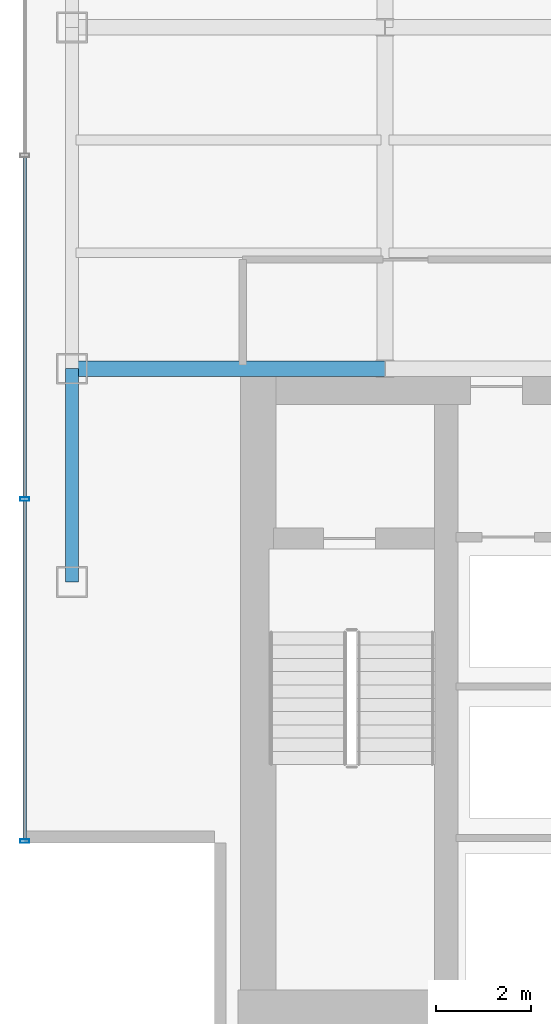
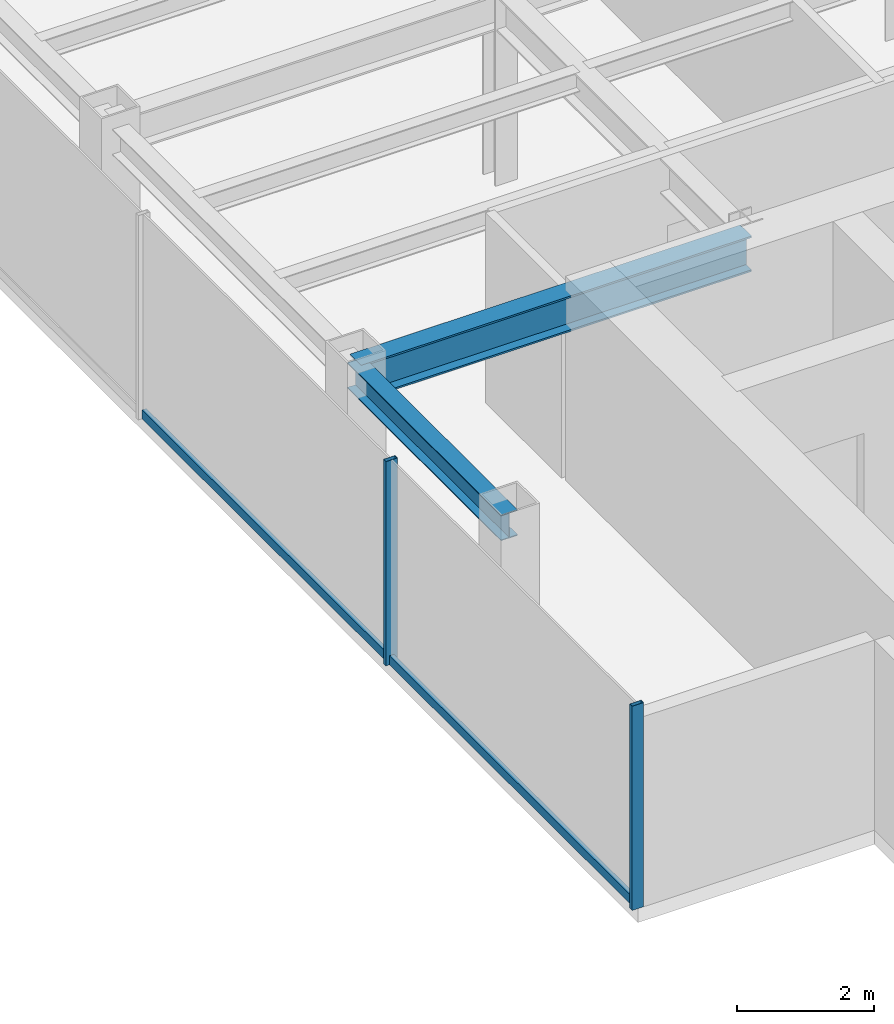
# One storey, part 3 of 25: 4 members, 2 beams, 1 element without a shape of its own.
"""IFC4 building model written with IfcOpenShell, lengths in metres."""

from ifc_helpers import new_model, si_unit, derived_unit, direction, frame, origin, origin_2d, place, context, subcontext, project, spatial, hollow_rectangle, i_section, extrude, source, transform, mapped, material, material_profile, profile_set, type_object, element, aggregate, save


model = new_model("IFC4")

# Units and contexts
model_context = context("Model", 3, precision=1e-05, world=origin(), true_north=direction((0.0, 1.0)))
body_context = subcontext(model_context, "Body", "Model", "MODEL_VIEW")
ifc_project = project(units=[si_unit("LENGTHUNIT", "METRE"), si_unit("AREAUNIT", "SQUARE_METRE"), si_unit("VOLUMEUNIT", "CUBIC_METRE"), si_unit("PLANEANGLEUNIT", "RADIAN"), si_unit("MASSUNIT", "GRAM", prefix="KILO"), derived_unit("THERMALTRANSMITTANCEUNIT", [(si_unit("POWERUNIT", "WATT"), 1), (si_unit("LENGTHUNIT", "METRE"), -2), (si_unit("THERMODYNAMICTEMPERATUREUNIT", "KELVIN"), -1)])], contexts=[model_context])

# Site, building, storey
site_placement = place(None, origin())
site = spatial("IfcSite", under=ifc_project, at=site_placement, CompositionType="ELEMENT")
building_placement = place(site_placement, origin())
building = spatial("IfcBuilding", under=site, at=building_placement, Name="Skarnbrae Concourse Arena and Tower", CompositionType="ELEMENT")
storey_placement = place(building_placement, frame((0.0, 0.0, 173.449951171875)))
storey = spatial("IfcBuildingStorey", under=building, at=storey_placement, Name="L44", CompositionType="ELEMENT", Elevation=173.449951171875)

# Beams
ifc_material_1 = material(Name="Steel CSA G40.21 350W", Category="steel")
ifc_material_profile_1 = material_profile(ifc_material_1, i_section(OverallWidth=0.3291015625, OverallDepth=0.635009765625, WebThickness=0.017822265625, FlangeThickness=0.031005859375, at=origin_2d()), Name="W610X241")
ifc_profile_set_1 = profile_set([ifc_material_profile_1], Name="Steel CSA G40.21 350W")
beam_type_1 = type_object("IfcBeamType", Name="BM-GIRD-W610X241", PredefinedType="BEAM", material=ifc_profile_set_1)
shared_shape_1 = source(origin(), body_context, "Body", "SweptSolid", [
    extrude(i_section(OverallWidth=0.3291015625, OverallDepth=0.635009765625, WebThickness=0.017822265625, FlangeThickness=0.031005859375, at=origin_2d()), origin(), (0.0, 0.0, 1.0), 6.60009765625),
])
beam_1_placement = place(storey_placement, frame((1.0, 14.0, 3.08251953125), z_axis=(1.0, 0.0, 0.0), x_axis=(0.0, 1.0, 0.0)))
element("IfcBeam", 1, at=beam_1_placement, inside=storey, type_object=beam_type_1, Name="L44 Primary E-W girder Y14.0-1", PredefinedType="BEAM", context=body_context, shape_type="MappedRepresentation", body=[
    mapped(shared_shape_1, transform((0.0, 0.0, 0.0))),
])
ifc_material_profile_2 = material_profile(ifc_material_1, i_section(OverallWidth=0.280029296875, OverallDepth=0.462890625, WebThickness=0.0107421875, FlangeThickness=0.017333984375, at=origin_2d()), Name="W460X113")
ifc_profile_set_2 = profile_set([ifc_material_profile_2], Name="Steel CSA G40.21 350W")
beam_type_2 = type_object("IfcBeamType", Name="BM-SPAN-W460X113", PredefinedType="SPANDREL", material=ifc_profile_set_2)
shared_shape_2 = source(origin(), body_context, "Body", "SweptSolid", [
    extrude(i_section(OverallWidth=0.280029296875, OverallDepth=0.462890625, WebThickness=0.0107421875, FlangeThickness=0.017333984375, at=origin_2d()), origin(), (0.0, 0.0, 1.0), 4.5),
])
beam_2_placement = place(storey_placement, frame((1.0, 9.5, 3.16845703125), z_axis=(0.0, 1.0, 0.0), x_axis=(-1.0, 0.0, 0.0)))
element("IfcBeam", 2, at=beam_2_placement, inside=storey, type_object=beam_type_2, Name="L44 Perimeter spandrel X1.0-1", PredefinedType="SPANDREL", context=body_context, shape_type="MappedRepresentation", body=[
    mapped(shared_shape_2, transform((0.0, 0.0, 0.0))),
])

# Curtain wall, members
ifc_material_2 = material(Name="Bronze anodised aluminium 6063-T6", Category="aluminium")
curtain_wall_type = type_object("IfcCurtainWallType", Name="CW-SYS-04-MIDZONE", PredefinedType="USERDEFINED", material=ifc_material_2)
curtain_wall_placement = place(storey_placement, origin())
curtain_wall = element("IfcCurtainWall", 3, at=curtain_wall_placement, inside=storey, type_object=curtain_wall_type, Name="L44 Unitised curtain wall CW-L44-E18", ObjectType="UNITISED CURTAIN WALL", PredefinedType="USERDEFINED")
ifc_material_profile_3 = material_profile(ifc_material_2, hollow_rectangle(XDim=0.074951171875, YDim=0.195068359375, WallThickness=0.00439453125, at=origin_2d()), Name="ALU-MULL-75X195")
ifc_profile_set_3 = profile_set([ifc_material_profile_3], Name="Bronze anodised aluminium 6063-T6")
member_type_1 = type_object("IfcMemberType", Name="CWM-CW-04", PredefinedType="MULLION", material=ifc_profile_set_3)
shared_shape_3 = source(origin(), body_context, "Body", "SweptSolid", [
    extrude(hollow_rectangle(XDim=0.074951171875, YDim=0.195068359375, WallThickness=0.00439453125, at=origin_2d()), origin(), (0.0, 0.0, 1.0), 3.650146484375),
])
member_1_placement = place(storey_placement, frame((0.0, 11.25, 0.0), z_axis=(0.0, 0.0, 1.0), x_axis=(0.0, -1.0, 0.0)))
member_1 = element("IfcMember", 4, at=member_1_placement, type_object=member_type_1, Name="CW-L44-E18 Mullion 4", PredefinedType="MULLION", context=body_context, shape_type="MappedRepresentation", body=[
    mapped(shared_shape_3, transform((0.0, 0.0, 0.0))),
])
member_2_placement = place(storey_placement, frame((0.0, 4.03759765625, 0.0), z_axis=(0.0, 0.0, 1.0), x_axis=(0.0, -1.0, 0.0)))
member_2 = element("IfcMember", 5, at=member_2_placement, type_object=member_type_1, Name="CW-L44-E18 Mullion 5", PredefinedType="MULLION", context=body_context, shape_type="MappedRepresentation", body=[
    mapped(shared_shape_3, transform((0.0, 0.0, 0.0))),
])
ifc_material_profile_4 = material_profile(ifc_material_2, hollow_rectangle(XDim=0.074951171875, YDim=0.159912109375, WallThickness=0.00439453125, at=origin_2d()), Name="ALU-TRAN-75X160")
ifc_profile_set_4 = profile_set([ifc_material_profile_4], Name="Bronze anodised aluminium 6063-T6")
member_type_2 = type_object("IfcMemberType", Name="CWT-CW-04", PredefinedType="USERDEFINED", material=ifc_profile_set_4)
shared_shape_4 = source(origin(), body_context, "Body", "SweptSolid", [
    extrude(hollow_rectangle(XDim=0.074951171875, YDim=0.159912109375, WallThickness=0.00439453125, at=origin_2d()), origin(), (0.0, 0.0, 1.0), 7.137451171875),
])
member_3_placement = place(storey_placement, frame((0.0, 11.21240234375, 0.080078125), z_axis=(0.0, -1.0, 0.0), x_axis=(1.0, 0.0, 0.0)))
member_3 = element("IfcMember", 6, at=member_3_placement, type_object=member_type_2, Name="CW-L44-E18 Transom 4", ObjectType="TRANSOM", PredefinedType="USERDEFINED", context=body_context, shape_type="MappedRepresentation", body=[
    mapped(shared_shape_4, transform((0.0, 0.0, 0.0))),
])
shared_shape_5 = source(origin(), body_context, "Body", "SweptSolid", [
    extrude(hollow_rectangle(XDim=0.074951171875, YDim=0.159912109375, WallThickness=0.00439453125, at=origin_2d()), origin(), (0.0, 0.0, 1.0), 7.1748046875),
])
member_4_placement = place(storey_placement, frame((0.0, 18.46240234375, 0.080078125), z_axis=(0.0, -1.0, 0.0), x_axis=(1.0, 0.0, 0.0)))
member_4 = element("IfcMember", 7, at=member_4_placement, type_object=member_type_2, Name="CW-L44-E18 Transom 3", ObjectType="TRANSOM", PredefinedType="USERDEFINED", context=body_context, shape_type="MappedRepresentation", body=[
    mapped(shared_shape_5, transform((0.0, 0.0, 0.0))),
])
aggregate(curtain_wall, [member_1, member_2, member_4, member_3])

save(model, "model.ifc")
